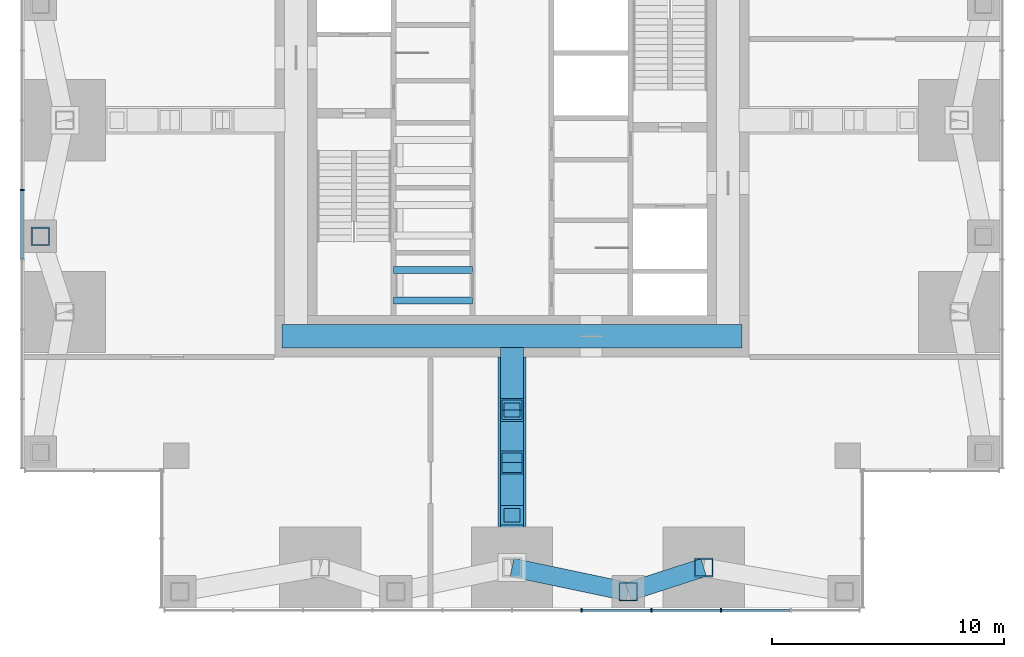
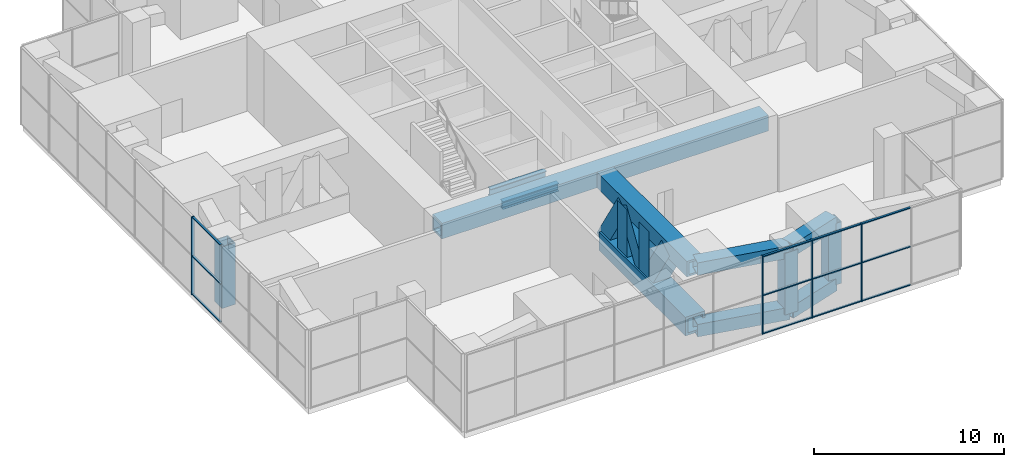
# One storey, part 3 of 13: 31 members, 2 beams, 2 elements without a shape of their own.
"""IFC4 building model written with IfcOpenShell, lengths in metres."""

from ifc_helpers import new_model, si_unit, direction, frame, origin, origin_2d, place, context, subcontext, project, spatial, rectangle, hollow_rectangle, i_section, extrude, material, material_profile, profile_set, type_object, element, aggregate, save


model = new_model("IFC4")

# Units and contexts
model_context = context("Model", 3, precision=1e-05, world=origin(), true_north=direction((0.0, 1.0)))
body_context = subcontext(model_context, "Body", "Model", "MODEL_VIEW")
ifc_project = project(units=[si_unit("LENGTHUNIT", "METRE"), si_unit("AREAUNIT", "SQUARE_METRE"), si_unit("VOLUMEUNIT", "CUBIC_METRE"), si_unit("PLANEANGLEUNIT", "RADIAN"), si_unit("MASSUNIT", "GRAM", prefix="KILO")], contexts=[model_context])

# Site, building, storey
site_placement = place(None, origin())
site = spatial("IfcSite", under=ifc_project, at=site_placement, CompositionType="ELEMENT")
building_placement = place(site_placement, origin())
building = spatial("IfcBuilding", under=site, at=building_placement, Name="Svetlomir Tower", CompositionType="ELEMENT")
storey_placement = place(building_placement, frame((0.0, 0.0, 86.5)))
storey = spatial("IfcBuildingStorey", under=building, at=storey_placement, Name="L20", CompositionType="ELEMENT", Elevation=86.5)

# Members
ifc_material_1 = material(Name="Steel S355", Category="steel")
ifc_material_profile_1 = material_profile(ifc_material_1, hollow_rectangle(XDim=0.800048828125, YDim=0.800048828125, WallThickness=0.050048828125, at=origin_2d()), Name="BOX 800x800x50")
ifc_profile_set_1 = profile_set([ifc_material_profile_1], Name="Steel S355")
member_type_1 = type_object("IfcMemberType", Name="BELT FRAME CHORD BOX 800x800x50", PredefinedType="CHORD", material=ifc_profile_set_1)
for number, where, z_axis, x_axis, name in (
    (1, (21.0, 1.75, 0.39990234375), (0.978651574329, -0.205526387753, 0.0), (0.205526387753, 0.978651574329, 0.0), "Belt frame S L20 bottom chord 4"),
    (2, (21.0, 1.75, 4.35009765625), (0.978651574329, -0.205526387753, 0.0), (0.205526387753, 0.978651574329, 0.0), "Belt frame S L20 top chord 4"),
):
    element("IfcMember", number, at=place(storey_placement, frame(where, z_axis=z_axis, x_axis=x_axis)), inside=storey, type_object=member_type_1, Name=name, PredefinedType="CHORD", context=body_context, shape_type="SweptSolid", body=[
        extrude(hollow_rectangle(XDim=0.800048828125, YDim=0.800048828125, WallThickness=0.050048828125, at=origin_2d()), origin(), (0.0, 0.0, 1.0), 5.109130859375),
    ])
for number, where, z_axis, x_axis, name in (
    (3, (26.0, 0.699951171875, 0.39990234375), (0.951566360503, 0.307443428225, 0.0), (-0.307443428225, 0.951566360503, 0.0), "Belt frame S L20 bottom chord 5"),
    (4, (26.0, 0.699951171875, 4.35009765625), (0.951566360503, 0.307443428225, 0.0), (-0.307443428225, 0.951566360503, 0.0), "Belt frame S L20 top chord 5"),
):
    element("IfcMember", number, at=place(storey_placement, frame(where, z_axis=z_axis, x_axis=x_axis)), inside=storey, type_object=member_type_1, Name=name, PredefinedType="CHORD", context=body_context, shape_type="SweptSolid", body=[
        extrude(hollow_rectangle(XDim=0.800048828125, YDim=0.800048828125, WallThickness=0.050048828125, at=origin_2d()), origin(), (0.0, 0.0, 1.0), 3.41552734375),
    ])
ifc_material_2 = material(Name="Steel S355", Category="steel")
ifc_material_profile_2 = material_profile(ifc_material_2, hollow_rectangle(XDim=0.800048828125, YDim=0.800048828125, WallThickness=0.050048828125, at=origin_2d()), Name="BOX 800x800x50")
ifc_profile_set_2 = profile_set([ifc_material_profile_2], Name="Steel S355")
member_type_2 = type_object("IfcMemberType", Name="BELT FRAME POST BOX 800x800x50", PredefinedType="POST", material=ifc_profile_set_2)
for number, where, z_axis, x_axis, name in (
    (5, (26.0, 0.699951171875, 0.39990234375), (0.0, 0.0, 1.0), (1.0, 0.0, 0.0), "Belt frame S L20 post 5"),
    (6, (29.25, 1.75, 0.39990234375), (0.0, 0.0, 1.0), (1.0, 0.0, 0.0), "Belt frame S L20 post 6"),
    (7, (0.699951171875, 16.0, 0.39990234375), (0.0, 0.0, 1.0), (1.0, 0.0, 0.0), "Belt frame W L20 post 3"),
):
    element("IfcMember", number, at=place(storey_placement, frame(where, z_axis=z_axis, x_axis=x_axis)), inside=storey, type_object=member_type_2, Name=name, PredefinedType="POST", context=body_context, shape_type="SweptSolid", body=[
        extrude(hollow_rectangle(XDim=0.800048828125, YDim=0.800048828125, WallThickness=0.050048828125, at=origin_2d()), origin(), (0.0, 0.0, 1.0), 3.9501953125),
    ])

# Curtain wall, members
ifc_material_3 = material(Name="Bronze anodised aluminium curtain wall", Category="aluminium")
curtain_wall_type = type_object("IfcCurtainWallType", Name="CURTAIN WALL CW3 PLANT LOUVRE", PredefinedType="NOTDEFINED", material=ifc_material_3)
curtain_wall_1_placement = place(storey_placement, origin())
curtain_wall_1 = element("IfcCurtainWall", 8, at=curtain_wall_1_placement, inside=storey, type_object=curtain_wall_type, Name="Curtain wall CW3 L20", PredefinedType="NOTDEFINED")
ifc_material_4 = material(Name="Bronze anodised aluminium", Category="aluminium")
ifc_material_profile_3 = material_profile(ifc_material_4, rectangle(XDim=0.06494140625, YDim=0.179931640625, at=origin_2d()), Name="AL 65x180")
ifc_profile_set_3 = profile_set([ifc_material_profile_3], Name="Bronze anodised aluminium 6063-T6")
member_type_3 = type_object("IfcMemberType", Name="CW3 MULLION 65x180", PredefinedType="MULLION", material=ifc_profile_set_3)
member_1_placement = place(storey_placement, frame((24.0, -0.090087890625, 0.0), z_axis=(0.0, 0.0, 1.0), x_axis=(1.0, 0.0, 0.0)))
member_1 = element("IfcMember", 9, at=member_1_placement, type_object=member_type_3, Name="CW3 mullion 7", PredefinedType="MULLION", context=body_context, shape_type="SweptSolid", body=[
    extrude(rectangle(XDim=0.06494140625, YDim=0.179931640625, at=origin_2d()), origin(), (0.0, 0.0, 1.0), 5.0),
])
member_2_placement = place(storey_placement, frame((27.0, -0.090087890625, 0.0), z_axis=(0.0, 0.0, 1.0), x_axis=(1.0, 0.0, 0.0)))
member_2 = element("IfcMember", 10, at=member_2_placement, type_object=member_type_3, Name="CW3 mullion 8", PredefinedType="MULLION", context=body_context, shape_type="SweptSolid", body=[
    extrude(rectangle(XDim=0.06494140625, YDim=0.179931640625, at=origin_2d()), origin(), (0.0, 0.0, 1.0), 5.0),
])
member_3_placement = place(storey_placement, frame((30.0, -0.090087890625, 0.0), z_axis=(0.0, 0.0, 1.0), x_axis=(1.0, 0.0, 0.0)))
member_3 = element("IfcMember", 11, at=member_3_placement, type_object=member_type_3, Name="CW3 mullion 9", PredefinedType="MULLION", context=body_context, shape_type="SweptSolid", body=[
    extrude(rectangle(XDim=0.06494140625, YDim=0.179931640625, at=origin_2d()), origin(), (0.0, 0.0, 1.0), 5.0),
])

# Curtain wall, member
curtain_wall_2_placement = place(storey_placement, origin())
curtain_wall_2 = element("IfcCurtainWall", 12, at=curtain_wall_2_placement, inside=storey, type_object=curtain_wall_type, Name="Curtain wall CW3 L20", PredefinedType="NOTDEFINED")
member_4_placement = place(storey_placement, frame((-0.090087890625, 18.0, 0.0), z_axis=(0.0, 0.0, 1.0), x_axis=(0.0, -1.0, 0.0)))
member_4 = element("IfcMember", 13, at=member_4_placement, type_object=member_type_3, Name="CW3 mullion 7", PredefinedType="MULLION", context=body_context, shape_type="SweptSolid", body=[
    extrude(rectangle(XDim=0.06494140625, YDim=0.179931640625, at=origin_2d()), origin(), (0.0, 0.0, 1.0), 5.0),
])

# Member
ifc_material_5 = material(Name="Bronze anodised aluminium", Category="aluminium")
ifc_material_profile_4 = material_profile(ifc_material_5, rectangle(XDim=0.1201171875, YDim=0.06494140625, at=origin_2d()), Name="AL 120x65")
ifc_profile_set_4 = profile_set([ifc_material_profile_4], Name="Bronze anodised aluminium 6063-T6")
member_type_4 = type_object("IfcMemberType", Name="CW3 TRANSOM 65x120", PredefinedType="USERDEFINED", material=ifc_profile_set_4)
member_5_placement = place(storey_placement, frame((24.032470703125, -0.090087890625, 0.032470703125), z_axis=(1.0, 0.0, 0.0), x_axis=(0.0, 1.0, 0.0)))
member_5 = element("IfcMember", 14, at=member_5_placement, type_object=member_type_4, Name="CW3 transom 7.1", ObjectType="TRANSOM", PredefinedType="USERDEFINED", context=body_context, shape_type="SweptSolid", body=[
    extrude(rectangle(XDim=0.1201171875, YDim=0.06494140625, at=origin_2d()), origin(), (0.0, 0.0, 1.0), 2.93505859375),
])

member_6_placement = place(storey_placement, frame((24.032470703125, -0.090087890625, 2.48388671875), z_axis=(1.0, 0.0, 0.0), x_axis=(0.0, 1.0, 0.0)))
member_6 = element("IfcMember", 15, at=member_6_placement, type_object=member_type_4, Name="CW3 transom 7.2", ObjectType="TRANSOM", PredefinedType="USERDEFINED", context=body_context, shape_type="SweptSolid", body=[
    extrude(rectangle(XDim=0.1201171875, YDim=0.06494140625, at=origin_2d()), origin(), (0.0, 0.0, 1.0), 2.93505859375),
])

member_7_placement = place(storey_placement, frame((24.032470703125, -0.090087890625, 4.967529296875), z_axis=(1.0, 0.0, 0.0), x_axis=(0.0, 1.0, 0.0)))
member_7 = element("IfcMember", 16, at=member_7_placement, type_object=member_type_4, Name="CW3 transom 7.3", ObjectType="TRANSOM", PredefinedType="USERDEFINED", context=body_context, shape_type="SweptSolid", body=[
    extrude(rectangle(XDim=0.1201171875, YDim=0.06494140625, at=origin_2d()), origin(), (0.0, 0.0, 1.0), 2.93505859375),
])

member_8_placement = place(storey_placement, frame((27.032470703125, -0.090087890625, 0.032470703125), z_axis=(1.0, 0.0, 0.0), x_axis=(0.0, 1.0, 0.0)))
member_8 = element("IfcMember", 17, at=member_8_placement, type_object=member_type_4, Name="CW3 transom 8.1", ObjectType="TRANSOM", PredefinedType="USERDEFINED", context=body_context, shape_type="SweptSolid", body=[
    extrude(rectangle(XDim=0.1201171875, YDim=0.06494140625, at=origin_2d()), origin(), (0.0, 0.0, 1.0), 2.93505859375),
])

member_9_placement = place(storey_placement, frame((27.032470703125, -0.090087890625, 2.48388671875), z_axis=(1.0, 0.0, 0.0), x_axis=(0.0, 1.0, 0.0)))
member_9 = element("IfcMember", 18, at=member_9_placement, type_object=member_type_4, Name="CW3 transom 8.2", ObjectType="TRANSOM", PredefinedType="USERDEFINED", context=body_context, shape_type="SweptSolid", body=[
    extrude(rectangle(XDim=0.1201171875, YDim=0.06494140625, at=origin_2d()), origin(), (0.0, 0.0, 1.0), 2.93505859375),
])

member_10_placement = place(storey_placement, frame((27.032470703125, -0.090087890625, 4.967529296875), z_axis=(1.0, 0.0, 0.0), x_axis=(0.0, 1.0, 0.0)))
member_10 = element("IfcMember", 19, at=member_10_placement, type_object=member_type_4, Name="CW3 transom 8.3", ObjectType="TRANSOM", PredefinedType="USERDEFINED", context=body_context, shape_type="SweptSolid", body=[
    extrude(rectangle(XDim=0.1201171875, YDim=0.06494140625, at=origin_2d()), origin(), (0.0, 0.0, 1.0), 2.93505859375),
])

member_11_placement = place(storey_placement, frame((30.032470703125, -0.090087890625, 0.032470703125), z_axis=(1.0, 0.0, 0.0), x_axis=(0.0, 1.0, 0.0)))
member_11 = element("IfcMember", 20, at=member_11_placement, type_object=member_type_4, Name="CW3 transom 9.1", ObjectType="TRANSOM", PredefinedType="USERDEFINED", context=body_context, shape_type="SweptSolid", body=[
    extrude(rectangle(XDim=0.1201171875, YDim=0.06494140625, at=origin_2d()), origin(), (0.0, 0.0, 1.0), 2.93505859375),
])

member_12_placement = place(storey_placement, frame((30.032470703125, -0.090087890625, 2.48388671875), z_axis=(1.0, 0.0, 0.0), x_axis=(0.0, 1.0, 0.0)))
member_12 = element("IfcMember", 21, at=member_12_placement, type_object=member_type_4, Name="CW3 transom 9.2", ObjectType="TRANSOM", PredefinedType="USERDEFINED", context=body_context, shape_type="SweptSolid", body=[
    extrude(rectangle(XDim=0.1201171875, YDim=0.06494140625, at=origin_2d()), origin(), (0.0, 0.0, 1.0), 2.93505859375),
])

member_13_placement = place(storey_placement, frame((30.032470703125, -0.090087890625, 4.967529296875), z_axis=(1.0, 0.0, 0.0), x_axis=(0.0, 1.0, 0.0)))
member_13 = element("IfcMember", 22, at=member_13_placement, type_object=member_type_4, Name="CW3 transom 9.3", ObjectType="TRANSOM", PredefinedType="USERDEFINED", context=body_context, shape_type="SweptSolid", body=[
    extrude(rectangle(XDim=0.1201171875, YDim=0.06494140625, at=origin_2d()), origin(), (0.0, 0.0, 1.0), 2.93505859375),
])

aggregate(curtain_wall_1, [member_1, member_2, member_3, member_5, member_6, member_7, member_8, member_9, member_10, member_11, member_12, member_13])

member_14_placement = place(storey_placement, frame((-0.090087890625, 17.967529296875, 0.032470703125), z_axis=(0.0, -1.0, 0.0), x_axis=(1.0, 0.0, 0.0)))
member_14 = element("IfcMember", 23, at=member_14_placement, type_object=member_type_4, Name="CW3 transom 7.1", ObjectType="TRANSOM", PredefinedType="USERDEFINED", context=body_context, shape_type="SweptSolid", body=[
    extrude(rectangle(XDim=0.1201171875, YDim=0.06494140625, at=origin_2d()), origin(), (0.0, 0.0, 1.0), 2.93505859375),
])

member_15_placement = place(storey_placement, frame((-0.090087890625, 17.967529296875, 2.48388671875), z_axis=(0.0, -1.0, 0.0), x_axis=(1.0, 0.0, 0.0)))
member_15 = element("IfcMember", 24, at=member_15_placement, type_object=member_type_4, Name="CW3 transom 7.2", ObjectType="TRANSOM", PredefinedType="USERDEFINED", context=body_context, shape_type="SweptSolid", body=[
    extrude(rectangle(XDim=0.1201171875, YDim=0.06494140625, at=origin_2d()), origin(), (0.0, 0.0, 1.0), 2.93505859375),
])

member_16_placement = place(storey_placement, frame((-0.090087890625, 17.967529296875, 4.967529296875), z_axis=(0.0, -1.0, 0.0), x_axis=(1.0, 0.0, 0.0)))
member_16 = element("IfcMember", 25, at=member_16_placement, type_object=member_type_4, Name="CW3 transom 7.3", ObjectType="TRANSOM", PredefinedType="USERDEFINED", context=body_context, shape_type="SweptSolid", body=[
    extrude(rectangle(XDim=0.1201171875, YDim=0.06494140625, at=origin_2d()), origin(), (0.0, 0.0, 1.0), 2.93505859375),
])

aggregate(curtain_wall_2, [member_4, member_14, member_15, member_16])

# Beams
ifc_material_6 = material(Name="Steel S355", Category="steel")
ifc_material_profile_5 = material_profile(ifc_material_6, i_section(OverallWidth=0.300048828125, OverallDepth=0.5, WebThickness=0.014404296875, FlangeThickness=0.028076171875, FilletRadius=0.027099609375, at=origin_2d()), Name="HEB 500")
ifc_profile_set_5 = profile_set([ifc_material_profile_5], Name="Steel S355")
beam_type = type_object("IfcBeamType", Name="LIFT PIT BEAM HEB 500", PredefinedType="BEAM", material=ifc_profile_set_5)
for number, where, z_axis, x_axis, name in (
    (26, (15.89990234375, 13.25, 3.050048828125), (1.0, 0.0, 0.0), (0.0, 1.0, 0.0), "Lift pit beam BANK-W1 1 under L21"),
    (27, (15.89990234375, 14.550048828125, 3.050048828125), (1.0, 0.0, 0.0), (0.0, 1.0, 0.0), "Lift pit beam BANK-W1 2 under L21"),
):
    element("IfcBeam", number, at=place(storey_placement, frame(where, z_axis=z_axis, x_axis=x_axis)), inside=storey, type_object=beam_type, Name=name, PredefinedType="BEAM", context=body_context, shape_type="SweptSolid", body=[
        extrude(i_section(OverallWidth=0.300048828125, OverallDepth=0.5, WebThickness=0.014404296875, FlangeThickness=0.028076171875, FilletRadius=0.027099609375, at=origin_2d()), origin(), (0.0, 0.0, 1.0), 3.400146484375),
    ])

# Members
ifc_material_7 = material(Name="Steel S355", Category="steel")
ifc_material_profile_6 = material_profile(ifc_material_7, hollow_rectangle(XDim=1.0, YDim=1.0, WallThickness=0.1201171875, at=origin_2d()), Name="BOX 1000x1000x120")
ifc_profile_set_6 = profile_set([ifc_material_profile_6], Name="Steel S355")
member_type_5 = type_object("IfcMemberType", Name="OUTRIGGER CHORD BOX 1000x1000x120", PredefinedType="CHORD", material=ifc_profile_set_6)
member_17_placement = place(storey_placement, frame((21.0, 11.199951171875, 4.25), z_axis=(0.0, -1.0, 0.0), x_axis=(1.0, 0.0, 0.0)))
element("IfcMember", 28, at=member_17_placement, inside=storey, type_object=member_type_5, Name="Outrigger S L20 top chord", PredefinedType="CHORD", context=body_context, shape_type="SweptSolid", body=[
    extrude(hollow_rectangle(XDim=1.0, YDim=1.0, WallThickness=0.1201171875, at=origin_2d()), origin(), (0.0, 0.0, 1.0), 9.449951171875),
])
ifc_material_8 = material(Name="Steel S355", Category="steel")
ifc_material_profile_7 = material_profile(ifc_material_8, hollow_rectangle(XDim=1.199951171875, YDim=1.199951171875, WallThickness=0.14990234375, at=origin_2d()), Name="BOX 1200x1200x150")
ifc_profile_set_7 = profile_set([ifc_material_profile_7], Name="Steel S355")
member_type_6 = type_object("IfcMemberType", Name="OUTRIGGER CHORD BOX 1200x1200x150", PredefinedType="CHORD", material=ifc_profile_set_7)
member_18_placement = place(storey_placement, frame((21.0, 10.800048828125, 0.60009765625), z_axis=(0.0, -1.0, 0.0), x_axis=(1.0, 0.0, 0.0)))
element("IfcMember", 29, at=member_18_placement, inside=storey, type_object=member_type_6, Name="Outrigger S L20 bottom chord", PredefinedType="CHORD", context=body_context, shape_type="SweptSolid", body=[
    extrude(hollow_rectangle(XDim=1.199951171875, YDim=1.199951171875, WallThickness=0.14990234375, at=origin_2d()), origin(), (0.0, 0.0, 1.0), 9.050048828125),
])
ifc_material_9 = material(Name="Steel S355", Category="steel")
ifc_material_profile_8 = material_profile(ifc_material_9, hollow_rectangle(XDim=1.0, YDim=1.0, WallThickness=0.1201171875, at=origin_2d()), Name="BOX 1000x1000x120")
ifc_profile_set_8 = profile_set([ifc_material_profile_8], Name="Steel S355")
member_type_7 = type_object("IfcMemberType", Name="OUTRIGGER CHORD, EMBEDDED BOX 1000x1000x120", PredefinedType="CHORD", material=ifc_profile_set_8)
member_19_placement = place(storey_placement, frame((11.10009765625, 11.699951171875, 4.25), z_axis=(1.0, 0.0, 0.0), x_axis=(0.0, 1.0, 0.0)))
element("IfcMember", 30, at=member_19_placement, inside=storey, type_object=member_type_7, Name="Embedded outrigger chord S core wall L20 top", PredefinedType="CHORD", context=body_context, shape_type="SweptSolid", body=[
    extrude(hollow_rectangle(XDim=1.0, YDim=1.0, WallThickness=0.1201171875, at=origin_2d()), origin(), (0.0, 0.0, 1.0), 19.7998046875),
])
ifc_material_10 = material(Name="Steel S355", Category="steel")
ifc_material_profile_9 = material_profile(ifc_material_10, hollow_rectangle(XDim=1.0, YDim=1.0, WallThickness=0.14990234375, at=origin_2d()), Name="BOX 1000x1000x150")
ifc_profile_set_9 = profile_set([ifc_material_profile_9], Name="Steel S355")
member_type_8 = type_object("IfcMemberType", Name="OUTRIGGER DIAGONAL BOX 1000x1000x150", PredefinedType="BRACE", material=ifc_profile_set_9)
member_20_placement = place(storey_placement, frame((21.0, 10.800048828125, 0.60009765625), z_axis=(0.0, -0.527596228415, 0.849495273538), x_axis=(1.0, 0.0, 0.0)))
element("IfcMember", 31, at=member_20_placement, inside=storey, type_object=member_type_8, Name="Outrigger S L20 diagonal 1", PredefinedType="BRACE", context=body_context, shape_type="SweptSolid", body=[
    extrude(hollow_rectangle(XDim=1.0, YDim=1.0, WallThickness=0.14990234375, at=origin_2d()), origin(), (0.0, 0.0, 1.0), 4.296630859375),
])
for number, where, z_axis, x_axis, name in (
    (32, (21.0, 8.533203125, 4.25), (0.0, -0.527555221109, -0.849520740583), (1.0, 0.0, 0.0), "Outrigger S L20 diagonal 2"),
    (33, (21.0, 6.2666015625, 0.60009765625), (0.0, -0.527555221109, 0.849520740583), (1.0, 0.0, 0.0), "Outrigger S L20 diagonal 3"),
):
    element("IfcMember", number, at=place(storey_placement, frame(where, z_axis=z_axis, x_axis=x_axis)), inside=storey, type_object=member_type_8, Name=name, PredefinedType="BRACE", context=body_context, shape_type="SweptSolid", body=[
        extrude(hollow_rectangle(XDim=1.0, YDim=1.0, WallThickness=0.14990234375, at=origin_2d()), origin(), (0.0, 0.0, 1.0), 4.29638671875),
    ])
ifc_material_11 = material(Name="Steel S355", Category="steel")
ifc_material_profile_10 = material_profile(ifc_material_11, hollow_rectangle(XDim=1.0, YDim=1.0, WallThickness=0.080078125, at=origin_2d()), Name="BOX 1000x1000x80")
ifc_profile_set_10 = profile_set([ifc_material_profile_10], Name="Steel S355")
member_type_9 = type_object("IfcMemberType", Name="OUTRIGGER POST BOX 1000x1000x80", PredefinedType="POST", material=ifc_profile_set_10)
for number, where, z_axis, x_axis, name in (
    (34, (21.0, 8.533203125, 0.60009765625), (0.0, 0.0, 1.0), (1.0, 0.0, 0.0), "Outrigger S L20 post 1"),
    (35, (21.0, 6.2666015625, 0.60009765625), (0.0, 0.0, 1.0), (1.0, 0.0, 0.0), "Outrigger S L20 post 2"),
):
    element("IfcMember", number, at=place(storey_placement, frame(where, z_axis=z_axis, x_axis=x_axis)), inside=storey, type_object=member_type_9, Name=name, PredefinedType="POST", context=body_context, shape_type="SweptSolid", body=[
        extrude(hollow_rectangle(XDim=1.0, YDim=1.0, WallThickness=0.080078125, at=origin_2d()), origin(), (0.0, 0.0, 1.0), 3.64990234375),
    ])

save(model, "model.ifc")
